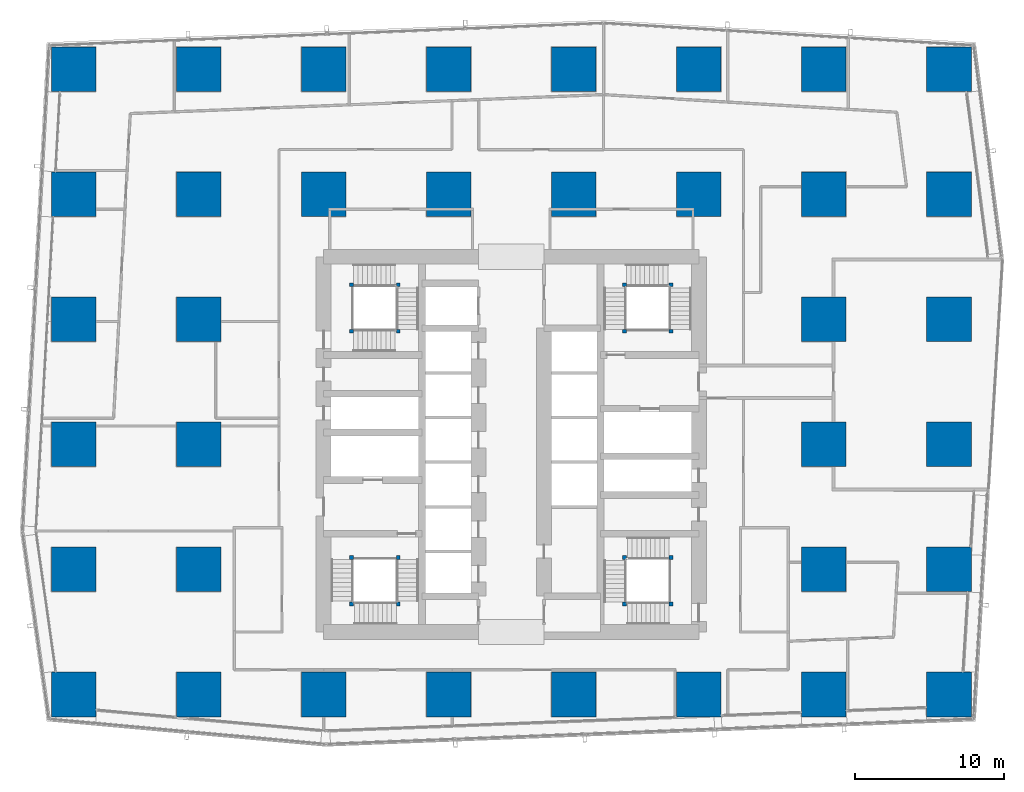
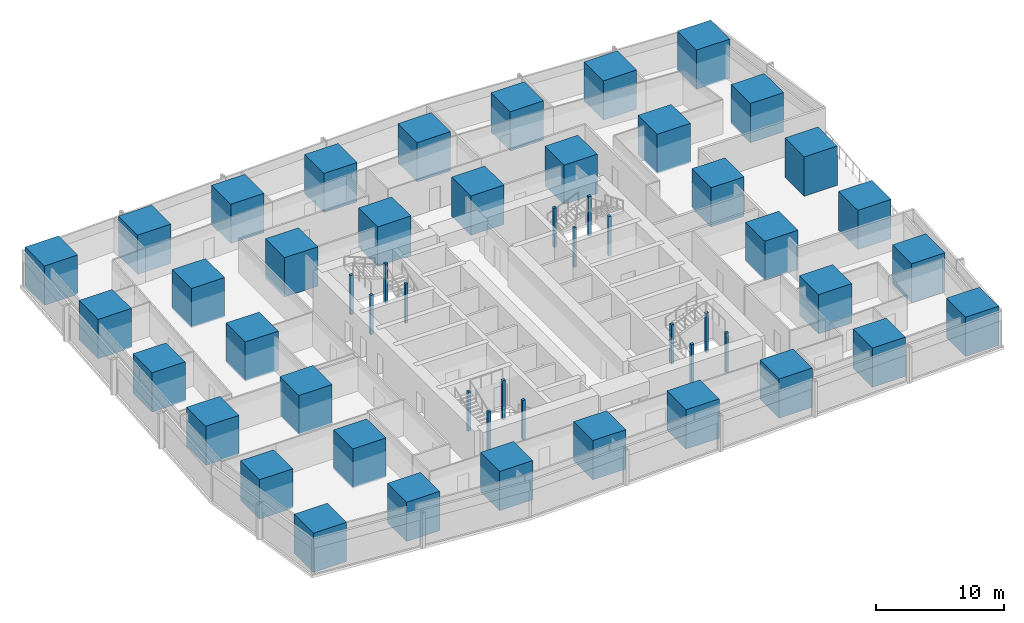
# One storey, part 1 of 38: 52 columns.
"""IFC4 building model written with IfcOpenShell, lengths in metres."""

from ifc_helpers import new_model, si_unit, direction, frame, origin, origin_2d, place, context, subcontext, project, spatial, rectangle, extrude, material, material_profile, profile_set, type_object, element, save


model = new_model("IFC4")

# Units and contexts
model_context = context("Model", 3, precision=1e-05, world=origin(), true_north=direction((0.0, 1.0)))
body_context = subcontext(model_context, "Body", "Model", "MODEL_VIEW")
ifc_project = project(units=[si_unit("LENGTHUNIT", "METRE"), si_unit("AREAUNIT", "SQUARE_METRE"), si_unit("VOLUMEUNIT", "CUBIC_METRE"), si_unit("PLANEANGLEUNIT", "RADIAN"), si_unit("MASSUNIT", "GRAM", prefix="KILO")], contexts=[model_context])

# Site, building, storey
site_placement = place(None, origin())
site = spatial("IfcSite", under=ifc_project, at=site_placement, CompositionType="ELEMENT")
building_placement = place(site_placement, origin())
building = spatial("IfcBuilding", under=site, at=building_placement, Name="Rekha Terrace Tower", CompositionType="ELEMENT")
storey_placement = place(building_placement, frame((0.0, 0.0, 159.050048828125)))
storey = spatial("IfcBuildingStorey", under=building, at=storey_placement, Name="L40", CompositionType="ELEMENT", Elevation=159.050048828125)

# Columns
ifc_material_1 = material(Name="Concrete M70", Category="concrete")
ifc_material_profile_1 = material_profile(ifc_material_1, rectangle(XDim=3.0, YDim=3.0, at=origin_2d()), Name="RC 3000x3000")
ifc_profile_set_1 = profile_set([ifc_material_profile_1], Name="Concrete M70")
column_type_1 = type_object("IfcColumnType", Name="C3T 3000x3000 column", PredefinedType="COLUMN", material=ifc_profile_set_1)
for number, where, z_axis, x_axis, name in (
    (1, (8.39990234375, 16.800048828125, 0.0), (0.0, 0.0, 1.0), (1.0, 0.0, 0.0), "Column C3T 2/C L40"),
    (2, (8.39990234375, 25.199951171875, 0.0), (0.0, 0.0, 1.0), (1.0, 0.0, 0.0), "Column C3T 2/D L40"),
    (3, (8.39990234375, 33.60009765625, 0.0), (0.0, 0.0, 1.0), (1.0, 0.0, 0.0), "Column C3T 2/E L40"),
    (4, (8.39990234375, 42.0, 0.0), (0.0, 0.0, 1.0), (1.0, 0.0, 0.0), "Column C3T 2/F L40"),
    (5, (8.39990234375, 50.39990234375, 0.0), (0.0, 0.0, 1.0), (1.0, 0.0, 0.0), "Column C3T 2/G L40"),
    (6, (8.39990234375, 58.800048828125, 0.0), (0.0, 0.0, 1.0), (1.0, 0.0, 0.0), "Column C3T 2/H L40"),
    (7, (16.800048828125, 16.800048828125, 0.0), (0.0, 0.0, 1.0), (1.0, 0.0, 0.0), "Column C3T 3/C L40"),
    (8, (16.800048828125, 25.199951171875, 0.0), (0.0, 0.0, 1.0), (1.0, 0.0, 0.0), "Column C3T 3/D L40"),
    (9, (16.800048828125, 33.60009765625, 0.0), (0.0, 0.0, 1.0), (1.0, 0.0, 0.0), "Column C3T 3/E L40"),
    (10, (16.800048828125, 42.0, 0.0), (0.0, 0.0, 1.0), (1.0, 0.0, 0.0), "Column C3T 3/F L40"),
    (11, (16.800048828125, 50.39990234375, 0.0), (0.0, 0.0, 1.0), (1.0, 0.0, 0.0), "Column C3T 3/G L40"),
    (12, (16.800048828125, 58.800048828125, 0.0), (0.0, 0.0, 1.0), (1.0, 0.0, 0.0), "Column C3T 3/H L40"),
    (13, (25.199951171875, 16.800048828125, 0.0), (0.0, 0.0, 1.0), (1.0, 0.0, 0.0), "Column C3T 4/C L40"),
    (14, (25.199951171875, 50.39990234375, 0.0), (0.0, 0.0, 1.0), (1.0, 0.0, 0.0), "Column C3T 4/G L40"),
    (15, (25.199951171875, 58.800048828125, 0.0), (0.0, 0.0, 1.0), (1.0, 0.0, 0.0), "Column C3T 4/H L40"),
    (16, (33.60009765625, 16.800048828125, 0.0), (0.0, 0.0, 1.0), (1.0, 0.0, 0.0), "Column C3T 5/C L40"),
    (17, (33.60009765625, 50.39990234375, 0.0), (0.0, 0.0, 1.0), (1.0, 0.0, 0.0), "Column C3T 5/G L40"),
    (18, (33.60009765625, 58.800048828125, 0.0), (0.0, 0.0, 1.0), (1.0, 0.0, 0.0), "Column C3T 5/H L40"),
    (19, (42.0, 16.800048828125, 0.0), (0.0, 0.0, 1.0), (1.0, 0.0, 0.0), "Column C3T 6/C L40"),
    (20, (42.0, 50.39990234375, 0.0), (0.0, 0.0, 1.0), (1.0, 0.0, 0.0), "Column C3T 6/G L40"),
    (21, (42.0, 58.800048828125, 0.0), (0.0, 0.0, 1.0), (1.0, 0.0, 0.0), "Column C3T 6/H L40"),
    (22, (50.39990234375, 16.800048828125, 0.0), (0.0, 0.0, 1.0), (1.0, 0.0, 0.0), "Column C3T 7/C L40"),
    (23, (50.39990234375, 50.39990234375, 0.0), (0.0, 0.0, 1.0), (1.0, 0.0, 0.0), "Column C3T 7/G L40"),
    (24, (50.39990234375, 58.800048828125, 0.0), (0.0, 0.0, 1.0), (1.0, 0.0, 0.0), "Column C3T 7/H L40"),
    (25, (58.800048828125, 16.800048828125, 0.0), (0.0, 0.0, 1.0), (1.0, 0.0, 0.0), "Column C3T 8/C L40"),
    (26, (58.800048828125, 25.199951171875, 0.0), (0.0, 0.0, 1.0), (1.0, 0.0, 0.0), "Column C3T 8/D L40"),
    (27, (58.800048828125, 33.60009765625, 0.0), (0.0, 0.0, 1.0), (1.0, 0.0, 0.0), "Column C3T 8/E L40"),
    (28, (58.800048828125, 42.0, 0.0), (0.0, 0.0, 1.0), (1.0, 0.0, 0.0), "Column C3T 8/F L40"),
    (29, (58.800048828125, 50.39990234375, 0.0), (0.0, 0.0, 1.0), (1.0, 0.0, 0.0), "Column C3T 8/G L40"),
    (30, (58.800048828125, 58.800048828125, 0.0), (0.0, 0.0, 1.0), (1.0, 0.0, 0.0), "Column C3T 8/H L40"),
    (31, (67.199951171875, 16.800048828125, 0.0), (0.0, 0.0, 1.0), (1.0, 0.0, 0.0), "Column C3T 9/C L40"),
    (32, (67.199951171875, 25.199951171875, 0.0), (0.0, 0.0, 1.0), (1.0, 0.0, 0.0), "Column C3T 9/D L40"),
    (33, (67.199951171875, 33.60009765625, 0.0), (0.0, 0.0, 1.0), (1.0, 0.0, 0.0), "Column C3T 9/E L40"),
    (34, (67.199951171875, 42.0, 0.0), (0.0, 0.0, 1.0), (1.0, 0.0, 0.0), "Column C3T 9/F L40"),
    (35, (67.199951171875, 50.39990234375, 0.0), (0.0, 0.0, 1.0), (1.0, 0.0, 0.0), "Column C3T 9/G L40"),
    (36, (67.199951171875, 58.800048828125, 0.0), (0.0, 0.0, 1.0), (1.0, 0.0, 0.0), "Column C3T 9/H L40"),
):
    element("IfcColumn", number, at=place(storey_placement, frame(where, z_axis=z_axis, x_axis=x_axis)), inside=storey, type_object=column_type_1, Name=name, PredefinedType="COLUMN", context=body_context, shape_type="SweptSolid", body=[
        extrude(rectangle(XDim=3.0, YDim=3.0, at=origin_2d()), origin(), (0.0, 0.0, 1.0), 3.75),
    ])
ifc_material_2 = material(Name="Concrete M60", Category="concrete")
ifc_material_profile_2 = material_profile(ifc_material_2, rectangle(XDim=0.25, YDim=0.25, at=origin_2d()), Name="RC 250x250")
ifc_profile_set_2 = profile_set([ifc_material_profile_2], Name="Concrete M60")
column_type_2 = type_object("IfcColumnType", Name="NP1 250x250 stair newel post", PredefinedType="COLUMN", material=ifc_profile_set_2)
for number, where, z_axis, x_axis, name in (
    (37, (30.199951171875, 26.0, 0.0), (0.0, 0.0, 1.0), (1.0, 0.0, 0.0), "Stair newel post NP1"),
    (38, (30.199951171875, 22.875, 0.0), (0.0, 0.0, 1.0), (1.0, 0.0, 0.0), "Stair newel post NP1"),
    (39, (27.074951171875, 22.875, 0.0), (0.0, 0.0, 1.0), (1.0, 0.0, 0.0), "Stair newel post NP1"),
    (40, (27.074951171875, 26.0, 0.0), (0.0, 0.0, 1.0), (1.0, 0.0, 0.0), "Stair newel post NP1"),
    (41, (45.39990234375, 41.199951171875, 0.0), (0.0, 0.0, 1.0), (1.0, 0.0, 0.0), "Stair newel post NP1"),
    (42, (45.39990234375, 44.324951171875, 0.0), (0.0, 0.0, 1.0), (1.0, 0.0, 0.0), "Stair newel post NP1"),
    (43, (48.52490234375, 44.324951171875, 0.0), (0.0, 0.0, 1.0), (1.0, 0.0, 0.0), "Stair newel post NP1"),
    (44, (48.52490234375, 41.199951171875, 0.0), (0.0, 0.0, 1.0), (1.0, 0.0, 0.0), "Stair newel post NP1"),
    (45, (48.52490234375, 22.875, 0.0), (0.0, 0.0, 1.0), (1.0, 0.0, 0.0), "Stair newel post NP1"),
    (46, (45.39990234375, 22.875, 0.0), (0.0, 0.0, 1.0), (1.0, 0.0, 0.0), "Stair newel post NP1"),
    (47, (45.39990234375, 26.0, 0.0), (0.0, 0.0, 1.0), (1.0, 0.0, 0.0), "Stair newel post NP1"),
    (48, (48.52490234375, 26.0, 0.0), (0.0, 0.0, 1.0), (1.0, 0.0, 0.0), "Stair newel post NP1"),
    (49, (27.074951171875, 41.199951171875, 0.0), (0.0, 0.0, 1.0), (1.0, 0.0, 0.0), "Stair newel post NP1"),
    (50, (30.199951171875, 41.199951171875, 0.0), (0.0, 0.0, 1.0), (1.0, 0.0, 0.0), "Stair newel post NP1"),
    (51, (30.199951171875, 44.324951171875, 0.0), (0.0, 0.0, 1.0), (1.0, 0.0, 0.0), "Stair newel post NP1"),
    (52, (27.074951171875, 44.324951171875, 0.0), (0.0, 0.0, 1.0), (1.0, 0.0, 0.0), "Stair newel post NP1"),
):
    element("IfcColumn", number, at=place(storey_placement, frame(where, z_axis=z_axis, x_axis=x_axis)), inside=storey, type_object=column_type_2, Name=name, PredefinedType="COLUMN", context=body_context, shape_type="SweptSolid", body=[
        extrude(rectangle(XDim=0.25, YDim=0.25, at=origin_2d()), origin(), (0.0, 0.0, 1.0), 3.75),
    ])

save(model, "model.ifc")
